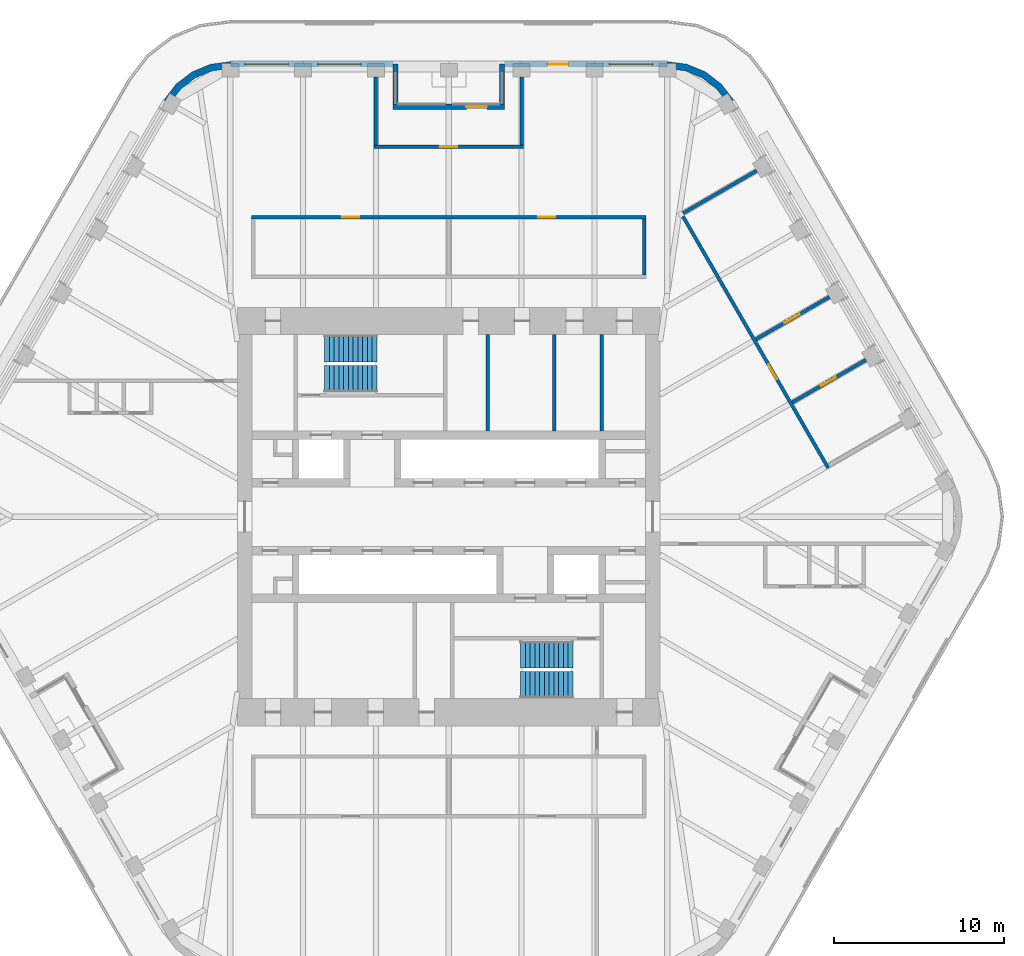
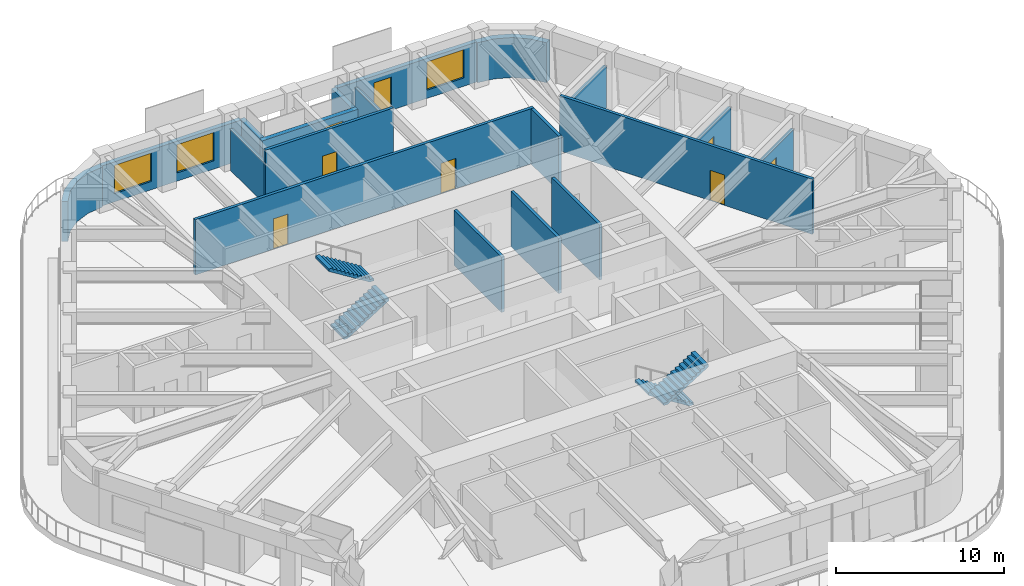
# One storey, part 16 of 19: 19 walls, 8 doors, 4 stair flights, 3 windows, 11 openings, 2 elements without a shape of their own.
"""IFC4 building model written with IfcOpenShell, lengths in metres."""

from ifc_helpers import new_model, si_unit, direction, frame, frame_2d, origin, place, context, subcontext, project, spatial, polyline, rectangle, outline, extrude, material, layer, layer_set, type_object, element, fill, aggregate, save


model = new_model("IFC4")

# Units and contexts
model_context = context("Model", 3, precision=1e-05, world=origin(), true_north=direction((0.0, 1.0)))
body_context = subcontext(model_context, "Body", "Model", "MODEL_VIEW")
ifc_project = project(units=[si_unit("LENGTHUNIT", "METRE"), si_unit("AREAUNIT", "SQUARE_METRE"), si_unit("VOLUMEUNIT", "CUBIC_METRE"), si_unit("PLANEANGLEUNIT", "RADIAN"), si_unit("MASSUNIT", "GRAM", prefix="KILO")], contexts=[model_context])

# Site, building, storey
site_placement = place(None, origin())
site = spatial("IfcSite", under=ifc_project, at=site_placement, CompositionType="ELEMENT")
building_placement = place(site_placement, origin())
building = spatial("IfcBuilding", under=site, at=building_placement, Name="Tarfa Lantern Tower", CompositionType="ELEMENT")
storey_placement = place(building_placement, frame((0.0, 0.0, 345.10009765625)))
storey = spatial("IfcBuildingStorey", under=building, at=storey_placement, Name="L78", CompositionType="ELEMENT", Elevation=345.10009765625)

# Wall, openings, door, window
ifc_material_1 = material(Name="Limestone cladding on blockwork", Category="masonry")
ifc_layer_1 = layer(ifc_material_1, 0.300048828125)
ifc_layer_set_1 = layer_set([ifc_layer_1], Name="EW1 STONE-CLAD WALL 300")
wall_type_1 = type_object("IfcWallType", Name="EW1 STONE-CLAD WALL 300", PredefinedType="SOLIDWALL", material=ifc_layer_set_1)
wall_1_placement = place(storey_placement, frame((12.845947265625, 26.60009765625, 0.0), z_axis=(0.0, 0.0, 1.0), x_axis=(-1.0, 0.0, 0.0)))
wall_1 = element("IfcWall", 1, at=wall_1_placement, inside=storey, type_object=wall_type_1, Name="Stone wall N", PredefinedType="SOLIDWALL", context=body_context, shape_type="SweptSolid", body=[
    extrude(rectangle(XDim=9.56396484375, YDim=0.300048828125, at=frame_2d((4.781982421875, 0.0))), origin(), (0.0, 0.0, 1.0), 2.89990234375),
])
opening_1_placement = place(wall_1_placement, frame((0.865966796875, 0.0, 0.60009765625)))
opening_1 = element("IfcOpeningElement", 2, at=opening_1_placement, cuts=wall_1, Name="Opening W17", PredefinedType="OPENING", context=body_context, shape_type="SweptSolid", body=[
    extrude(rectangle(XDim=2.550048828125, YDim=2.050048828125, at=frame_2d((1.27490234375, 1.02490234375))), frame((0.0, 0.159912109375, 0.0), z_axis=(0.0, -1.0, 0.0), x_axis=(1.0, 0.0, 0.0)), (0.0, 0.0, 1.0), 0.320068359375),
])
opening_2_placement = place(wall_1_placement, frame((5.822998046875, 0.0, 0.0)))
opening_2 = element("IfcOpeningElement", 3, at=opening_2_placement, cuts=wall_1, Name="Opening D38", PredefinedType="OPENING", context=body_context, shape_type="SweptSolid", body=[
    extrude(rectangle(XDim=1.199951171875, YDim=2.39990234375, at=frame_2d((0.60009765625, 1.199951171875))), frame((0.0, 0.159912109375, 0.0), z_axis=(0.0, -1.0, 0.0), x_axis=(1.0, 0.0, 0.0)), (0.0, 0.0, 1.0), 0.320068359375),
])
ifc_material_2 = material(Name="Aluminium framed glazed door", Category="aluminium")
door_type_1 = type_object("IfcDoorType", Name="BE3 BALCONY DOOR 1200x2400", OperationType="SINGLE_SWING_RIGHT", PredefinedType="DOOR", material=ifc_material_2)
door_1_placement = place(opening_2_placement, origin())
door_1 = element("IfcDoor", 4, at=door_1_placement, inside=storey, type_object=door_type_1, Name="Balcony door N", OperationType="SINGLE_SWING_LEFT", OverallHeight=2.39990234375, OverallWidth=1.199951171875, PredefinedType="DOOR", context=body_context, shape_type="SweptSolid", body=[
    extrude(rectangle(XDim=1.199951171875, YDim=2.39990234375, at=frame_2d((0.60009765625, 1.199951171875))), frame((0.0, 0.02490234375, 0.0), z_axis=(0.0, -1.0, 0.0), x_axis=(1.0, 0.0, 0.0)), (0.0, 0.0, 1.0), 0.050048828125),
])
fill(opening_2, door_1)
ifc_material_3 = material(Name="Aluminium frame, double glazed", Category="aluminium")
window_type = type_object("IfcWindowType", Name="W17 FULL-HEIGHT GLAZING 2550x2050", PartitioningType="SINGLE_PANEL", PredefinedType="WINDOW", material=ifc_material_3)
window_1_placement = place(opening_1_placement, origin())
window_1 = element("IfcWindow", 5, at=window_1_placement, inside=storey, type_object=window_type, Name="Window N 1", OverallHeight=2.050048828125, OverallWidth=2.550048828125, PartitioningType="SINGLE_PANEL", PredefinedType="WINDOW", context=body_context, shape_type="SweptSolid", body=[
    extrude(rectangle(XDim=2.550048828125, YDim=2.050048828125, at=frame_2d((1.27490234375, 1.02490234375))), frame((0.0, 0.030029296875, 0.0), z_axis=(0.0, -1.0, 0.0), x_axis=(1.0, 0.0, 0.0)), (0.0, 0.0, 1.0), 0.06005859375),
])
fill(opening_1, window_1)

# Wall, openings, windows
wall_2_placement = place(storey_placement, frame((-3.281982421875, 26.60009765625, 0.0), z_axis=(0.0, 0.0, 1.0), x_axis=(-1.0, 0.0, 0.0)))
wall_2 = element("IfcWall", 6, at=wall_2_placement, inside=storey, type_object=wall_type_1, Name="Stone wall NB", PredefinedType="SOLIDWALL", context=body_context, shape_type="SweptSolid", body=[
    extrude(rectangle(XDim=9.56396484375, YDim=0.300048828125, at=frame_2d((4.781982421875, 0.0))), origin(), (0.0, 0.0, 1.0), 2.89990234375),
])
opening_3_placement = place(wall_2_placement, frame((1.865966796875, 0.0, 0.60009765625)))
opening_3 = element("IfcOpeningElement", 7, at=opening_3_placement, cuts=wall_2, Name="Opening W17", PredefinedType="OPENING", context=body_context, shape_type="SweptSolid", body=[
    extrude(rectangle(XDim=2.550048828125, YDim=2.050048828125, at=frame_2d((1.27490234375, 1.02490234375))), frame((0.0, 0.159912109375, 0.0), z_axis=(0.0, -1.0, 0.0), x_axis=(1.0, 0.0, 0.0)), (0.0, 0.0, 1.0), 0.320068359375),
])
opening_4_placement = place(wall_2_placement, frame((6.14794921875, 0.0, 0.60009765625)))
opening_4 = element("IfcOpeningElement", 8, at=opening_4_placement, cuts=wall_2, Name="Opening W17", PredefinedType="OPENING", context=body_context, shape_type="SweptSolid", body=[
    extrude(rectangle(XDim=2.550048828125, YDim=2.050048828125, at=frame_2d((1.27490234375, 1.02490234375))), frame((0.0, 0.159912109375, 0.0), z_axis=(0.0, -1.0, 0.0), x_axis=(1.0, 0.0, 0.0)), (0.0, 0.0, 1.0), 0.320068359375),
])
window_2_placement = place(opening_3_placement, origin())
window_2 = element("IfcWindow", 9, at=window_2_placement, inside=storey, type_object=window_type, Name="Window NB 1", OverallHeight=2.050048828125, OverallWidth=2.550048828125, PartitioningType="SINGLE_PANEL", PredefinedType="WINDOW", context=body_context, shape_type="SweptSolid", body=[
    extrude(rectangle(XDim=2.550048828125, YDim=2.050048828125, at=frame_2d((1.27490234375, 1.02490234375))), frame((0.0, 0.030029296875, 0.0), z_axis=(0.0, -1.0, 0.0), x_axis=(1.0, 0.0, 0.0)), (0.0, 0.0, 1.0), 0.06005859375),
])
fill(opening_3, window_2)
window_3_placement = place(opening_4_placement, origin())
window_3 = element("IfcWindow", 10, at=window_3_placement, inside=storey, type_object=window_type, Name="Window NB 2", OverallHeight=2.050048828125, OverallWidth=2.550048828125, PartitioningType="SINGLE_PANEL", PredefinedType="WINDOW", context=body_context, shape_type="SweptSolid", body=[
    extrude(rectangle(XDim=2.550048828125, YDim=2.050048828125, at=frame_2d((1.27490234375, 1.02490234375))), frame((0.0, 0.030029296875, 0.0), z_axis=(0.0, -1.0, 0.0), x_axis=(1.0, 0.0, 0.0)), (0.0, 0.0, 1.0), 0.06005859375),
])
fill(opening_4, window_3)

# Walls
for number, where, z_axis, x_axis, name in (
    (11, (3.132080078125, 26.60009765625, 0.0), (0.0, 0.0, 1.0), (0.0, -1.0, 0.0), "Terrace return N 1"),
    (12, (-3.132080078125, 26.60009765625, 0.0), (0.0, 0.0, 1.0), (0.0, -1.0, 0.0), "Terrace return N 2"),
):
    element("IfcWall", number, at=place(storey_placement, frame(where, z_axis=z_axis, x_axis=x_axis)), inside=storey, type_object=wall_type_1, Name=name, PredefinedType="SOLIDWALL", context=body_context, shape_type="SweptSolid", body=[
        extrude(rectangle(XDim=2.35009765625, YDim=0.300048828125, at=frame_2d((1.175048828125, 0.0))), origin(), (0.0, 0.0, 1.0), 2.89990234375),
    ])

# Wall, opening, door
wall_3_placement = place(storey_placement, frame((3.281982421875, 24.10009765625, 0.0), z_axis=(0.0, 0.0, 1.0), x_axis=(-1.0, 0.0, 0.0)))
wall_3 = element("IfcWall", 13, at=wall_3_placement, inside=storey, type_object=wall_type_1, Name="Stone wall NS", PredefinedType="SOLIDWALL", context=body_context, shape_type="SweptSolid", body=[
    extrude(rectangle(XDim=6.56396484375, YDim=0.300048828125, at=frame_2d((3.281982421875, 0.0))), origin(), (0.0, 0.0, 1.0), 2.89990234375),
])
opening_5_placement = place(wall_3_placement, frame((1.041015625, 0.0, 0.0)))
opening_5 = element("IfcOpeningElement", 14, at=opening_5_placement, cuts=wall_3, Name="Opening D39", PredefinedType="OPENING", context=body_context, shape_type="SweptSolid", body=[
    extrude(rectangle(XDim=1.199951171875, YDim=2.39990234375, at=frame_2d((0.60009765625, 1.199951171875))), frame((0.0, 0.159912109375, 0.0), z_axis=(0.0, -1.0, 0.0), x_axis=(1.0, 0.0, 0.0)), (0.0, 0.0, 1.0), 0.320068359375),
])
door_2_placement = place(opening_5_placement, origin())
door_2 = element("IfcDoor", 15, at=door_2_placement, inside=storey, type_object=door_type_1, Name="Balcony door NS", OperationType="SINGLE_SWING_RIGHT", OverallHeight=2.39990234375, OverallWidth=1.199951171875, PredefinedType="DOOR", context=body_context, shape_type="SweptSolid", body=[
    extrude(rectangle(XDim=1.199951171875, YDim=2.39990234375, at=frame_2d((0.60009765625, 1.199951171875))), frame((0.0, 0.02490234375, 0.0), z_axis=(0.0, -1.0, 0.0), x_axis=(1.0, 0.0, 0.0)), (0.0, 0.0, 1.0), 0.050048828125),
])
fill(opening_5, door_2)

# Walls
ifc_layer_2 = layer(ifc_material_1, 0.39990234375)
ifc_layer_set_2 = layer_set([ifc_layer_2], Name="EW2 CURVED STONE CORNER 400")
wall_type_2 = type_object("IfcWallType", Name="EW2 CURVED STONE CORNER 400", PredefinedType="SOLIDWALL", material=ifc_layer_set_2)
wall_4_placement = place(storey_placement, origin())
element("IfcWall", 16, at=wall_4_placement, inside=storey, type_object=wall_type_2, Name="Stone corner NE-N", PredefinedType="SOLIDWALL", context=body_context, shape_type="SweptSolid", body=[
    extrude(outline(polyline([(16.7431640625, 24.5), (16.028076171875, 25.431884765625), (15.095947265625, 26.147216796875), (14.0107421875, 26.5966796875), (12.845947265625, 26.75), (12.845947265625, 26.35009765625), (13.9072265625, 26.210205078125), (14.89599609375, 25.80078125), (15.7451171875, 25.149169921875), (16.396728515625, 24.300048828125), (16.7431640625, 24.5)])), origin(), (0.0, 0.0, 1.0), 2.89990234375),
])
wall_5_placement = place(storey_placement, origin())
element("IfcWall", 17, at=wall_5_placement, inside=storey, type_object=wall_type_2, Name="Stone corner N-NW", PredefinedType="SOLIDWALL", context=body_context, shape_type="SweptSolid", body=[
    extrude(outline(polyline([(-12.845947265625, 26.75), (-14.0107421875, 26.5966796875), (-15.095947265625, 26.147216796875), (-16.028076171875, 25.431884765625), (-16.7431640625, 24.5), (-16.396728515625, 24.300048828125), (-15.7451171875, 25.149169921875), (-14.89599609375, 25.80078125), (-13.9072265625, 26.210205078125), (-12.845947265625, 26.35009765625), (-12.845947265625, 26.75)])), origin(), (0.0, 0.0, 1.0), 2.89990234375),
])
ifc_material_4 = material(Name="Concrete blockwork", Category="masonry")
ifc_layer_3 = layer(ifc_material_4, 0.199951171875)
ifc_layer_set_3 = layer_set([ifc_layer_3], Name="IW1 BLOCKWORK PARTITION 200 EI 120")
wall_type_3 = type_object("IfcWallType", Name="IW1 BLOCKWORK PARTITION 200 EI 120", PredefinedType="PARTITIONING", material=ifc_layer_set_3)
for number, where, z_axis, x_axis, name in (
    (18, (9.0, 5.050048828125, 0.0), (0.0, 0.0, 1.0), (0.0, 1.0, 0.0), "Core partition"),
    (19, (2.300048828125, 5.050048828125, 0.0), (0.0, 0.0, 1.0), (0.0, 1.0, 0.0), "Core partition"),
    (20, (6.199951171875, 5.050048828125, 0.0), (0.0, 0.0, 1.0), (0.0, 1.0, 0.0), "Core partition"),
):
    element("IfcWall", number, at=place(storey_placement, frame(where, z_axis=z_axis, x_axis=x_axis)), inside=storey, type_object=wall_type_3, Name=name, PredefinedType="PARTITIONING", context=body_context, shape_type="SweptSolid", body=[
        extrude(rectangle(XDim=5.64990234375, YDim=0.199951171875, at=frame_2d((2.824951171875, 0.0))), origin(), (0.0, 0.0, 1.0), 4.0),
    ])

# Wall, openings, doors
ifc_material_5 = material(Name="Gypsum board on steel studs", Category="steel")
ifc_layer_4 = layer(ifc_material_5, 0.2099609375)
ifc_layer_set_4 = layer_set([ifc_layer_4], Name="IW2 ACOUSTIC PARTITION 200")
wall_type_4 = type_object("IfcWallType", Name="IW2 ACOUSTIC PARTITION 200", PredefinedType="PARTITIONING", material=ifc_layer_set_4)
wall_6_placement = place(storey_placement, frame((-11.60009765625, 17.60009765625, 0.0), z_axis=(0.0, 0.0, 1.0), x_axis=(1.0, 0.0, 0.0)))
wall_6 = element("IfcWall", 21, at=wall_6_placement, inside=storey, type_object=wall_type_4, Name="Partition", PredefinedType="PARTITIONING", context=body_context, shape_type="SweptSolid", body=[
    extrude(rectangle(XDim=23.2001953125, YDim=0.199951171875, at=frame_2d((11.60009765625, 0.0))), origin(), (0.0, 0.0, 1.0), 4.0),
])
opening_6_placement = place(wall_6_placement, frame((5.35009765625, 0.0, 0.0)))
opening_6 = element("IfcOpeningElement", 22, at=opening_6_placement, cuts=wall_6, Name="Opening D25", PredefinedType="OPENING", context=body_context, shape_type="SweptSolid", body=[
    extrude(rectangle(XDim=1.0, YDim=2.199951171875, at=frame_2d((0.5, 1.10009765625))), frame((0.0, 0.10986328125, 0.0), z_axis=(0.0, -1.0, 0.0), x_axis=(1.0, 0.0, 0.0)), (0.0, 0.0, 1.0), 0.219970703125),
])
opening_7_placement = place(wall_6_placement, frame((16.85009765625, 0.0, 0.0)))
opening_7 = element("IfcOpeningElement", 23, at=opening_7_placement, cuts=wall_6, Name="Opening D26", PredefinedType="OPENING", context=body_context, shape_type="SweptSolid", body=[
    extrude(rectangle(XDim=1.0, YDim=2.199951171875, at=frame_2d((0.5, 1.10009765625))), frame((0.0, 0.10986328125, 0.0), z_axis=(0.0, -1.0, 0.0), x_axis=(1.0, 0.0, 0.0)), (0.0, 0.0, 1.0), 0.219970703125),
])
ifc_material_6 = material(Name="Timber door", Category="wood")
door_type_2 = type_object("IfcDoorType", Name="DR1 ROOM DOOR 1000x2200", OperationType="SINGLE_SWING_LEFT", PredefinedType="DOOR", material=ifc_material_6)
door_3_placement = place(opening_6_placement, frame((1.0, 0.0, 0.0), z_axis=(0.0, 0.0, 1.0), x_axis=(-1.0, 0.0, 0.0)))
door_3 = element("IfcDoor", 24, at=door_3_placement, inside=storey, type_object=door_type_2, Name="Meeting room door", OperationType="SINGLE_SWING_LEFT", OverallHeight=2.199951171875, OverallWidth=1.0, PredefinedType="DOOR", context=body_context, shape_type="SweptSolid", body=[
    extrude(rectangle(XDim=1.0, YDim=2.199951171875, at=frame_2d((0.5, 1.10009765625))), frame((0.0, 0.02490234375, 0.0), z_axis=(0.0, -1.0, 0.0), x_axis=(1.0, 0.0, 0.0)), (0.0, 0.0, 1.0), 0.050048828125),
])
fill(opening_6, door_3)
door_4_placement = place(opening_7_placement, frame((1.0, 0.0, 0.0), z_axis=(0.0, 0.0, 1.0), x_axis=(-1.0, 0.0, 0.0)))
door_4 = element("IfcDoor", 25, at=door_4_placement, inside=storey, type_object=door_type_2, Name="Pantry door", OperationType="SINGLE_SWING_RIGHT", OverallHeight=2.199951171875, OverallWidth=1.0, PredefinedType="DOOR", context=body_context, shape_type="SweptSolid", body=[
    extrude(rectangle(XDim=1.0, YDim=2.199951171875, at=frame_2d((0.5, 1.10009765625))), frame((0.0, 0.02490234375, 0.0), z_axis=(0.0, -1.0, 0.0), x_axis=(1.0, 0.0, 0.0)), (0.0, 0.0, 1.0), 0.050048828125),
])
fill(opening_7, door_4)

# Wall
wall_7_placement = place(storey_placement, frame((11.5, 14.199951171875, 0.0), z_axis=(0.0, 0.0, 1.0), x_axis=(0.0, 1.0, 0.0)))
element("IfcWall", 26, at=wall_7_placement, inside=storey, type_object=wall_type_4, Name="Partition", PredefinedType="PARTITIONING", context=body_context, shape_type="SweptSolid", body=[
    extrude(rectangle(XDim=3.300048828125, YDim=0.199951171875, at=frame_2d((1.64990234375, 0.0))), origin(), (0.0, 0.0, 1.0), 4.0),
])

# Wall, opening, door
wall_8_placement = place(storey_placement, frame((4.382080078125, 21.75, 0.0), z_axis=(0.0, 0.0, 1.0), x_axis=(-1.0, 0.0, 0.0)))
wall_8 = element("IfcWall", 27, at=wall_8_placement, inside=storey, type_object=wall_type_4, Name="Partition", PredefinedType="PARTITIONING", context=body_context, shape_type="SweptSolid", body=[
    extrude(rectangle(XDim=8.76416015625, YDim=0.199951171875, at=frame_2d((4.382080078125, 0.0))), origin(), (0.0, 0.0, 1.0), 4.0),
])
opening_8_placement = place(wall_8_placement, frame((3.882080078125, 0.0, 0.0)))
opening_8 = element("IfcOpeningElement", 28, at=opening_8_placement, cuts=wall_8, Name="Opening D21", PredefinedType="OPENING", context=body_context, shape_type="SweptSolid", body=[
    extrude(rectangle(XDim=1.0, YDim=2.199951171875, at=frame_2d((0.5, 1.10009765625))), frame((0.0, 0.10986328125, 0.0), z_axis=(0.0, -1.0, 0.0), x_axis=(1.0, 0.0, 0.0)), (0.0, 0.0, 1.0), 0.219970703125),
])
door_5_placement = place(opening_8_placement, frame((1.0, 0.0, 0.0), z_axis=(0.0, 0.0, 1.0), x_axis=(-1.0, 0.0, 0.0)))
door_5 = element("IfcDoor", 29, at=door_5_placement, inside=storey, type_object=door_type_2, Name="Meeting room door", OperationType="SINGLE_SWING_LEFT", OverallHeight=2.199951171875, OverallWidth=1.0, PredefinedType="DOOR", context=body_context, shape_type="SweptSolid", body=[
    extrude(rectangle(XDim=1.0, YDim=2.199951171875, at=frame_2d((0.5, 1.10009765625))), frame((0.0, 0.02490234375, 0.0), z_axis=(0.0, -1.0, 0.0), x_axis=(1.0, 0.0, 0.0)), (0.0, 0.0, 1.0), 0.050048828125),
])
fill(opening_8, door_5)

# Walls
for number, where, z_axis, x_axis, name in (
    (30, (4.281982421875, 21.85009765625, 0.0), (0.0, 0.0, 1.0), (0.0, 1.0, 0.0), "Partition"),
    (31, (-4.281982421875, 21.85009765625, 0.0), (0.0, 0.0, 1.0), (0.0, 1.0, 0.0), "Partition"),
):
    element("IfcWall", number, at=place(storey_placement, frame(where, z_axis=z_axis, x_axis=x_axis)), inside=storey, type_object=wall_type_4, Name=name, PredefinedType="PARTITIONING", context=body_context, shape_type="SweptSolid", body=[
        extrude(rectangle(XDim=4.0, YDim=0.199951171875, at=frame_2d((2.0, 0.0))), origin(), (0.0, 0.0, 1.0), 2.99169921875),
    ])

# Wall, opening, door
wall_9_placement = place(storey_placement, frame((22.302001953125, 2.871826171875, 0.0), z_axis=(0.0, 0.0, 1.0), x_axis=(-0.500006217173, 0.866021814268, 0.0)))
wall_9 = element("IfcWall", 32, at=wall_9_placement, inside=storey, type_object=wall_type_4, Name="Partition", PredefinedType="PARTITIONING", context=body_context, shape_type="SweptSolid", body=[
    extrude(rectangle(XDim=17.327880859375, YDim=0.199951171875, at=frame_2d((8.6640625, 0.0))), origin(), (0.0, 0.0, 1.0), 4.0),
])
opening_9_placement = place(wall_9_placement, frame((6.02294921875, 0.0, 0.0)))
opening_9 = element("IfcOpeningElement", 33, at=opening_9_placement, cuts=wall_9, Name="Opening D23", PredefinedType="OPENING", context=body_context, shape_type="SweptSolid", body=[
    extrude(rectangle(XDim=1.0, YDim=2.199951171875, at=frame_2d((0.5, 1.10009765625))), frame((0.0, 0.10986328125, 0.0), z_axis=(0.0, -1.0, 0.0), x_axis=(1.0, 0.0, 0.0)), (0.0, 0.0, 1.0), 0.219970703125),
])
door_6_placement = place(opening_9_placement, frame((1.0, 0.0, 0.0), z_axis=(0.0, 0.0, 1.0), x_axis=(-1.0, 0.0, 0.0)))
door_6 = element("IfcDoor", 34, at=door_6_placement, inside=storey, type_object=door_type_2, Name="PA area door", OperationType="SINGLE_SWING_LEFT", OverallHeight=2.199951171875, OverallWidth=1.0, PredefinedType="DOOR", context=body_context, shape_type="SweptSolid", body=[
    extrude(rectangle(XDim=1.0, YDim=2.199951171875, at=frame_2d((0.5, 1.10009765625))), frame((0.0, 0.02490234375, 0.0), z_axis=(0.0, -1.0, 0.0), x_axis=(1.0, 0.0, 0.0)), (0.0, 0.0, 1.0), 0.050048828125),
])
fill(opening_9, door_6)

wall_10_placement = place(storey_placement, frame((20.19775390625, 6.716552734375, 0.0), z_axis=(0.0, 0.0, 1.0), x_axis=(0.866022959057, 0.500004234368, 0.0)))
wall_10 = element("IfcWall", 35, at=wall_10_placement, inside=storey, type_object=wall_type_4, Name="Partition", PredefinedType="PARTITIONING", context=body_context, shape_type="SweptSolid", body=[
    extrude(rectangle(XDim=5.0, YDim=0.199951171875, at=frame_2d((2.5, 0.0))), origin(), (0.0, 0.0, 1.0), 2.99169921875),
])
opening_10_placement = place(wall_10_placement, frame((1.949951171875, 0.0, 0.0)))
opening_10 = element("IfcOpeningElement", 36, at=opening_10_placement, cuts=wall_10, Name="Opening D22", PredefinedType="OPENING", context=body_context, shape_type="SweptSolid", body=[
    extrude(rectangle(XDim=1.0, YDim=2.199951171875, at=frame_2d((0.5, 1.10009765625))), frame((0.0, 0.10986328125, 0.0), z_axis=(0.0, -1.0, 0.0), x_axis=(1.0, 0.0, 0.0)), (0.0, 0.0, 1.0), 0.219970703125),
])
door_7_placement = place(opening_10_placement, frame((1.0, 0.0, 0.0), z_axis=(0.0, 0.0, 1.0), x_axis=(-1.0, 0.0, 0.0)))
door_7 = element("IfcDoor", 37, at=door_7_placement, inside=storey, type_object=door_type_2, Name="Executive office door", OperationType="SINGLE_SWING_LEFT", OverallHeight=2.199951171875, OverallWidth=1.0, PredefinedType="DOOR", context=body_context, shape_type="SweptSolid", body=[
    extrude(rectangle(XDim=1.0, YDim=2.199951171875, at=frame_2d((0.5, 1.10009765625))), frame((0.0, 0.02490234375, 0.0), z_axis=(0.0, -1.0, 0.0), x_axis=(1.0, 0.0, 0.0)), (0.0, 0.0, 1.0), 0.050048828125),
])
fill(opening_10, door_7)

wall_11_placement = place(storey_placement, frame((18.056640625, 10.425048828125, 0.0), z_axis=(0.0, 0.0, 1.0), x_axis=(0.866022959057, 0.500004234368, 0.0)))
wall_11 = element("IfcWall", 38, at=wall_11_placement, inside=storey, type_object=wall_type_4, Name="Partition", PredefinedType="PARTITIONING", context=body_context, shape_type="SweptSolid", body=[
    extrude(rectangle(XDim=5.0, YDim=0.199951171875, at=frame_2d((2.5, 0.0))), origin(), (0.0, 0.0, 1.0), 3.08154296875),
])
opening_11_placement = place(wall_11_placement, frame((1.949951171875, 0.0, 0.0)))
opening_11 = element("IfcOpeningElement", 39, at=opening_11_placement, cuts=wall_11, Name="Opening D24", PredefinedType="OPENING", context=body_context, shape_type="SweptSolid", body=[
    extrude(rectangle(XDim=1.0, YDim=2.199951171875, at=frame_2d((0.5, 1.10009765625))), frame((0.0, 0.10986328125, 0.0), z_axis=(0.0, -1.0, 0.0), x_axis=(1.0, 0.0, 0.0)), (0.0, 0.0, 1.0), 0.219970703125),
])
door_8_placement = place(opening_11_placement, frame((1.0, 0.0, 0.0), z_axis=(0.0, 0.0, 1.0), x_axis=(-1.0, 0.0, 0.0)))
door_8 = element("IfcDoor", 40, at=door_8_placement, inside=storey, type_object=door_type_2, Name="Executive meeting room door", OperationType="SINGLE_SWING_LEFT", OverallHeight=2.199951171875, OverallWidth=1.0, PredefinedType="DOOR", context=body_context, shape_type="SweptSolid", body=[
    extrude(rectangle(XDim=1.0, YDim=2.199951171875, at=frame_2d((0.5, 1.10009765625))), frame((0.0, 0.02490234375, 0.0), z_axis=(0.0, -1.0, 0.0), x_axis=(1.0, 0.0, 0.0)), (0.0, 0.0, 1.0), 0.050048828125),
])
fill(opening_11, door_8)

# Wall
wall_12_placement = place(storey_placement, frame((13.774658203125, 17.841552734375, 0.0), z_axis=(0.0, 0.0, 1.0), x_axis=(0.866022959057, 0.500004234368, 0.0)))
element("IfcWall", 41, at=wall_12_placement, inside=storey, type_object=wall_type_4, Name="Partition", PredefinedType="PARTITIONING", context=body_context, shape_type="SweptSolid", body=[
    extrude(rectangle(XDim=5.0, YDim=0.199951171875, at=frame_2d((2.5, 0.0))), origin(), (0.0, 0.0, 1.0), 3.08154296875),
])

# Stair, stair flights
ifc_material_7 = material(Name="Concrete C40/50", Category="concrete")
stair_type = type_object("IfcStairType", Name="ST-T10 HALF-TURN STAIR 4200 RISE", PredefinedType="HALF_TURN_STAIR", material=ifc_material_7)
stair_1_placement = place(storey_placement, origin())
stair_1 = element("IfcStair", 42, at=stair_1_placement, inside=storey, type_object=stair_type, Name="Stair ST1", PredefinedType="HALF_TURN_STAIR")
stair_flight_type = type_object("IfcStairFlightType", Name="SF1 STAIR FLIGHT", PredefinedType="STRAIGHT", material=ifc_material_7)
stair_flight_1_placement = place(storey_placement, frame((-7.300048828125, 8.10009765625, 0.0), z_axis=(0.0, 0.0, 1.0), x_axis=(1.0, 0.0, 0.0)))
stair_flight_1 = element("IfcStairFlight", 43, at=stair_flight_1_placement, type_object=stair_flight_type, Name="ST1 flight 1", NumberOfRisers=12, NumberOfTreads=11, PredefinedType="STRAIGHT", RiserHeight=0.175, TreadLength=0.28, context=body_context, shape_type="SweptSolid", body=[
    extrude(outline(polyline([(0.0, 0.0), (0.0, 0.175048828125), (0.280029296875, 0.175048828125), (0.280029296875, 0.35009765625), (0.56005859375, 0.35009765625), (0.56005859375, 0.52490234375), (0.840087890625, 0.52490234375), (0.840087890625, 0.699951171875), (1.1201171875, 0.699951171875), (1.1201171875, 0.875), (1.39990234375, 0.875), (1.39990234375, 1.050048828125), (1.679931640625, 1.050048828125), (1.679931640625, 1.22509765625), (1.9599609375, 1.22509765625), (1.9599609375, 1.39990234375), (2.239990234375, 1.39990234375), (2.239990234375, 1.574951171875), (2.52001953125, 1.574951171875), (2.52001953125, 1.75), (2.800048828125, 1.75), (2.800048828125, 1.925048828125), (3.080078125, 1.925048828125), (3.080078125, 2.10009765625), (3.080078125, 1.748291015625), (0.28271484375, 0.0), (0.0, 0.0)])), frame((0.0, 0.800048828125, 0.0), z_axis=(0.0, -1.0, 0.0), x_axis=(1.0, 0.0, 0.0)), (0.0, 0.0, 1.0), 1.60009765625),
])
stair_flight_2_placement = place(storey_placement, frame((-4.219970703125, 9.89990234375, 2.099853515625), z_axis=(0.0, 0.0, 1.0), x_axis=(-1.0, 0.0, 0.0)))
stair_flight_2 = element("IfcStairFlight", 44, at=stair_flight_2_placement, type_object=stair_flight_type, Name="ST1 flight 2", NumberOfRisers=12, NumberOfTreads=11, PredefinedType="STRAIGHT", RiserHeight=0.175, TreadLength=0.28, context=body_context, shape_type="SweptSolid", body=[
    extrude(outline(polyline([(0.0, 0.0), (0.0, 0.175048828125), (0.280029296875, 0.175048828125), (0.280029296875, 0.35009765625), (0.56005859375, 0.35009765625), (0.56005859375, 0.52490234375), (0.840087890625, 0.52490234375), (0.840087890625, 0.699951171875), (1.1201171875, 0.699951171875), (1.1201171875, 0.875), (1.39990234375, 0.875), (1.39990234375, 1.050048828125), (1.679931640625, 1.050048828125), (1.679931640625, 1.22509765625), (1.9599609375, 1.22509765625), (1.9599609375, 1.39990234375), (2.239990234375, 1.39990234375), (2.239990234375, 1.574951171875), (2.52001953125, 1.574951171875), (2.52001953125, 1.75), (2.800048828125, 1.75), (2.800048828125, 1.925048828125), (3.080078125, 1.925048828125), (3.080078125, 2.10009765625), (3.080078125, 1.748291015625), (0.28271484375, 0.0), (0.0, 0.0)])), frame((0.0, 0.800048828125, 0.0), z_axis=(0.0, -1.0, 0.0), x_axis=(1.0, 0.0, 0.0)), (0.0, 0.0, 1.0), 1.60009765625),
])
aggregate(stair_1, [stair_flight_1, stair_flight_2])

stair_2_placement = place(storey_placement, origin())
stair_2 = element("IfcStair", 45, at=stair_2_placement, inside=storey, type_object=stair_type, Name="Stair ST2", PredefinedType="HALF_TURN_STAIR")
stair_flight_3_placement = place(storey_placement, frame((7.300048828125, -8.10009765625, 0.0), z_axis=(0.0, 0.0, 1.0), x_axis=(-1.0, 0.0, 0.0)))
stair_flight_3 = element("IfcStairFlight", 46, at=stair_flight_3_placement, type_object=stair_flight_type, Name="ST2 flight 1", NumberOfRisers=12, NumberOfTreads=11, PredefinedType="STRAIGHT", RiserHeight=0.175, TreadLength=0.28, context=body_context, shape_type="SweptSolid", body=[
    extrude(outline(polyline([(0.0, 0.0), (0.0, 0.175048828125), (0.280029296875, 0.175048828125), (0.280029296875, 0.35009765625), (0.56005859375, 0.35009765625), (0.56005859375, 0.52490234375), (0.840087890625, 0.52490234375), (0.840087890625, 0.699951171875), (1.1201171875, 0.699951171875), (1.1201171875, 0.875), (1.39990234375, 0.875), (1.39990234375, 1.050048828125), (1.679931640625, 1.050048828125), (1.679931640625, 1.22509765625), (1.9599609375, 1.22509765625), (1.9599609375, 1.39990234375), (2.239990234375, 1.39990234375), (2.239990234375, 1.574951171875), (2.52001953125, 1.574951171875), (2.52001953125, 1.75), (2.800048828125, 1.75), (2.800048828125, 1.925048828125), (3.080078125, 1.925048828125), (3.080078125, 2.10009765625), (3.080078125, 1.748291015625), (0.28271484375, 0.0), (0.0, 0.0)])), frame((0.0, 0.800048828125, 0.0), z_axis=(0.0, -1.0, 0.0), x_axis=(1.0, 0.0, 0.0)), (0.0, 0.0, 1.0), 1.60009765625),
])
stair_flight_4_placement = place(storey_placement, frame((4.219970703125, -9.89990234375, 2.099853515625), z_axis=(0.0, 0.0, 1.0), x_axis=(1.0, 0.0, 0.0)))
stair_flight_4 = element("IfcStairFlight", 47, at=stair_flight_4_placement, type_object=stair_flight_type, Name="ST2 flight 2", NumberOfRisers=12, NumberOfTreads=11, PredefinedType="STRAIGHT", RiserHeight=0.175, TreadLength=0.28, context=body_context, shape_type="SweptSolid", body=[
    extrude(outline(polyline([(0.0, 0.0), (0.0, 0.175048828125), (0.280029296875, 0.175048828125), (0.280029296875, 0.35009765625), (0.56005859375, 0.35009765625), (0.56005859375, 0.52490234375), (0.840087890625, 0.52490234375), (0.840087890625, 0.699951171875), (1.1201171875, 0.699951171875), (1.1201171875, 0.875), (1.39990234375, 0.875), (1.39990234375, 1.050048828125), (1.679931640625, 1.050048828125), (1.679931640625, 1.22509765625), (1.9599609375, 1.22509765625), (1.9599609375, 1.39990234375), (2.239990234375, 1.39990234375), (2.239990234375, 1.574951171875), (2.52001953125, 1.574951171875), (2.52001953125, 1.75), (2.800048828125, 1.75), (2.800048828125, 1.925048828125), (3.080078125, 1.925048828125), (3.080078125, 2.10009765625), (3.080078125, 1.748291015625), (0.28271484375, 0.0), (0.0, 0.0)])), frame((0.0, 0.800048828125, 0.0), z_axis=(0.0, -1.0, 0.0), x_axis=(1.0, 0.0, 0.0)), (0.0, 0.0, 1.0), 1.60009765625),
])
aggregate(stair_2, [stair_flight_3, stair_flight_4])

save(model, "model.ifc")
